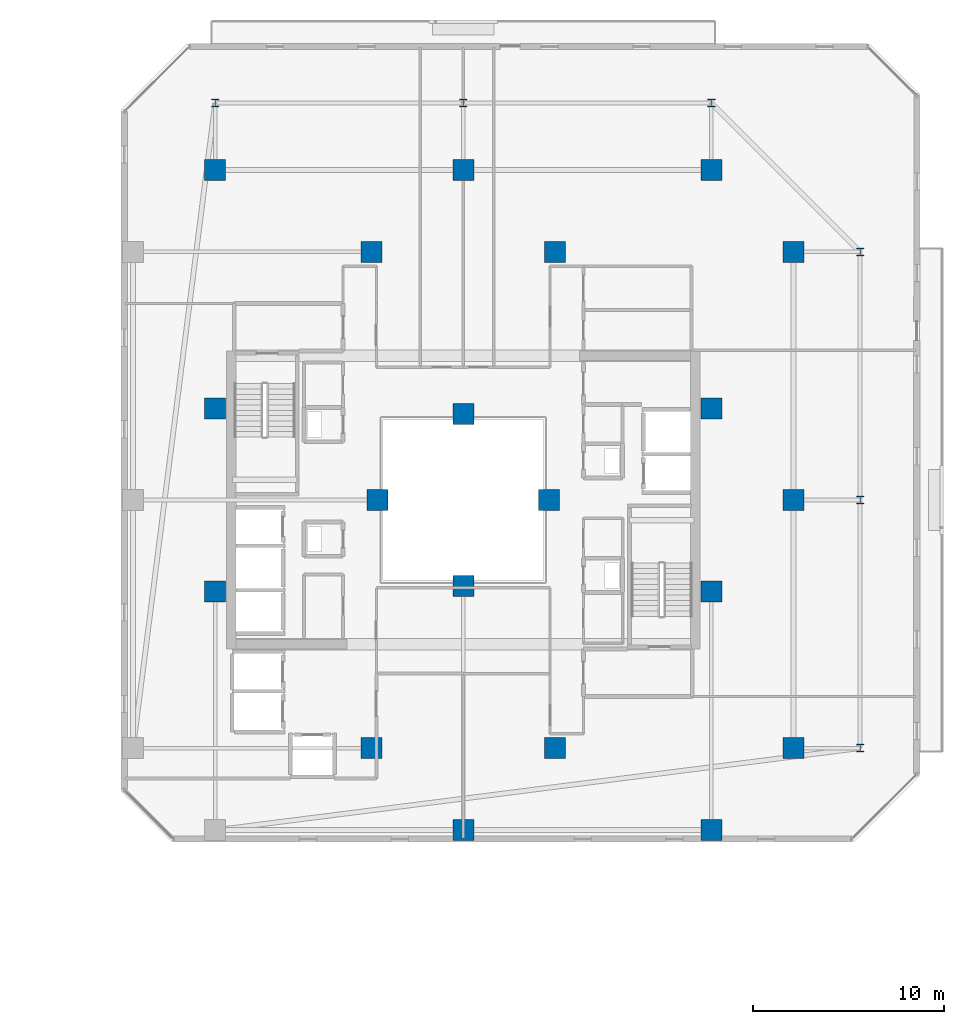
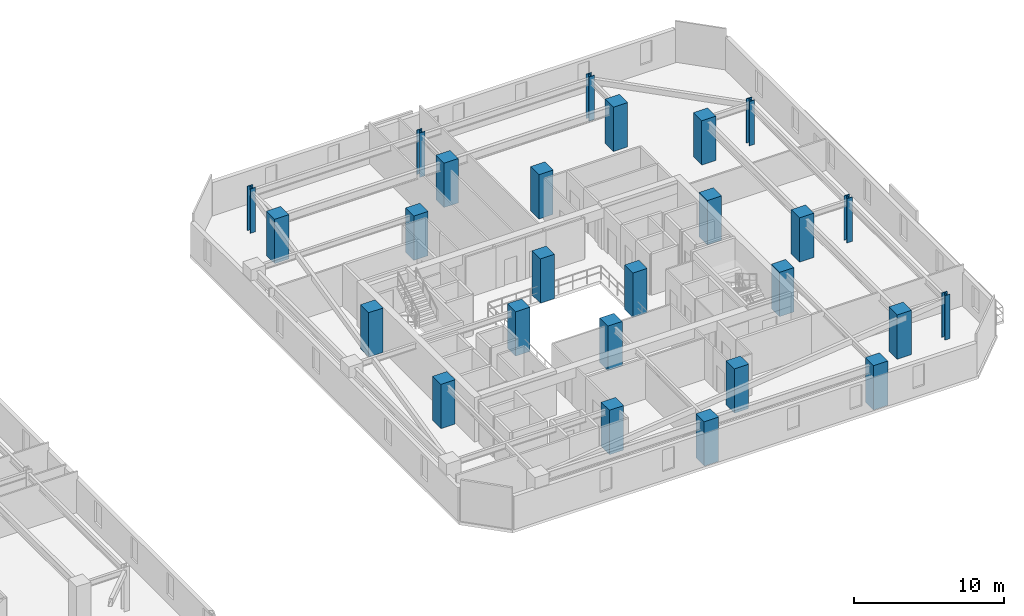
# One storey, part 2 of 33: 26 columns.
"""IFC4 building model written with IfcOpenShell, lengths in metres."""

from ifc_helpers import new_model, si_unit, direction, frame, origin, origin_2d, place, context, subcontext, project, spatial, rectangle, i_section, extrude, material, material_profile, profile_set, type_object, element, save


model = new_model("IFC4")

# Units and contexts
model_context = context("Model", 3, precision=1e-05, world=origin(), true_north=direction((0.0, 1.0)))
body_context = subcontext(model_context, "Body", "Model", "MODEL_VIEW")
ifc_project = project(units=[si_unit("LENGTHUNIT", "METRE"), si_unit("AREAUNIT", "SQUARE_METRE"), si_unit("VOLUMEUNIT", "CUBIC_METRE"), si_unit("PLANEANGLEUNIT", "RADIAN"), si_unit("MASSUNIT", "GRAM", prefix="KILO")], contexts=[model_context])

# Site, building, storey
site_placement = place(None, origin())
site = spatial("IfcSite", under=ifc_project, at=site_placement, CompositionType="ELEMENT")
building_placement = place(site_placement, origin())
building = spatial("IfcBuilding", under=site, at=building_placement, Name="Thornwick Lancets Civic Towers", CompositionType="ELEMENT")
storey_placement = place(building_placement, frame((0.0, 0.0, 159.89990234375)))
storey = spatial("IfcBuildingStorey", under=building, at=storey_placement, Name="L42", CompositionType="ELEMENT", Elevation=159.89990234375)

# Columns
ifc_material_1 = material(Name="Concrete C50/60", Category="concrete")
ifc_material_profile_1 = material_profile(ifc_material_1, rectangle(XDim=1.10009765625, YDim=1.10009765625, at=origin_2d()), Name="RC 1100x1100")
ifc_profile_set_1 = profile_set([ifc_material_profile_1], Name="Concrete C50/60")
column_type_1 = type_object("IfcColumnType", Name="COL_RC_1100", PredefinedType="COLUMN", material=ifc_profile_set_1)
for number, where, z_axis, x_axis, name in (
    (1, (105.800048828125, 14.0, 0.0), (0.0, 0.0, 1.0), (1.0, 0.0, 0.0), "L42 Spine Mega-Column B01"),
    (2, (105.800048828125, 27.0, 0.0), (0.0, 0.0, 1.0), (1.0, 0.0, 0.0), "L42 Spine Mega-Column B02"),
    (3, (105.800048828125, 40.0, 0.0), (0.0, 0.0, 1.0), (1.0, 0.0, 0.0), "L42 Spine Mega-Column B03"),
    (4, (101.5, 44.300048828125, 0.0), (0.0, 0.0, 1.0), (1.0, 0.0, 0.0), "L42 Spine Mega-Column B04"),
    (5, (88.5, 44.300048828125, 0.0), (0.0, 0.0, 1.0), (1.0, 0.0, 0.0), "L42 Spine Mega-Column B05"),
    (6, (75.5, 44.300048828125, 0.0), (0.0, 0.0, 1.0), (1.0, 0.0, 0.0), "L42 Spine Mega-Column B06"),
    (7, (101.5, 9.699951171875, 0.0), (0.0, 0.0, 1.0), (1.0, 0.0, 0.0), "L42 Spine Mega-Column B10"),
    (8, (88.5, 9.699951171875, 0.0), (0.0, 0.0, 1.0), (1.0, 0.0, 0.0), "L42 Spine Mega-Column B11"),
    (9, (93.300048828125, 14.0, 0.0), (0.0, 0.0, 1.0), (1.0, 0.0, 0.0), "L42 Spine Mega-Column B13"),
    (10, (93.300048828125, 40.0, 0.0), (0.0, 0.0, 1.0), (1.0, 0.0, 0.0), "L42 Spine Mega-Column B14"),
    (11, (83.699951171875, 14.0, 0.0), (0.0, 0.0, 1.0), (1.0, 0.0, 0.0), "L42 Spine Mega-Column B15"),
    (12, (83.699951171875, 40.0, 0.0), (0.0, 0.0, 1.0), (1.0, 0.0, 0.0), "L42 Spine Mega-Column B16"),
    (13, (101.5, 22.199951171875, 0.0), (0.0, 0.0, 1.0), (1.0, 0.0, 0.0), "L42 Spine Mega-Column B17"),
    (14, (101.5, 31.800048828125, 0.0), (0.0, 0.0, 1.0), (1.0, 0.0, 0.0), "L42 Spine Mega-Column B18"),
    (15, (75.5, 22.199951171875, 0.0), (0.0, 0.0, 1.0), (1.0, 0.0, 0.0), "L42 Spine Mega-Column B19"),
    (16, (75.5, 31.800048828125, 0.0), (0.0, 0.0, 1.0), (1.0, 0.0, 0.0), "L42 Spine Mega-Column B20"),
    (17, (93.0, 27.0, 0.0), (0.0, 0.0, 1.0), (1.0, 0.0, 0.0), "L42 Spine Mega-Column B21"),
    (18, (84.0, 27.0, 0.0), (0.0, 0.0, 1.0), (1.0, 0.0, 0.0), "L42 Spine Mega-Column B22"),
    (19, (88.5, 22.5, 0.0), (0.0, 0.0, 1.0), (1.0, 0.0, 0.0), "L42 Spine Mega-Column B23"),
    (20, (88.5, 31.5, 0.0), (0.0, 0.0, 1.0), (1.0, 0.0, 0.0), "L42 Spine Mega-Column B24"),
):
    element("IfcColumn", number, at=place(storey_placement, frame(where, z_axis=z_axis, x_axis=x_axis)), inside=storey, type_object=column_type_1, Name=name, PredefinedType="COLUMN", context=body_context, shape_type="SweptSolid", body=[
        extrude(rectangle(XDim=1.10009765625, YDim=1.10009765625, at=origin_2d()), origin(), (0.0, 0.0, 1.0), 3.60009765625),
    ])
ifc_material_2 = material(Name="Steel S460M", Category="steel")
ifc_material_profile_2 = material_profile(ifc_material_2, i_section(OverallWidth=0.406982421875, OverallDepth=0.4189453125, WebThickness=0.030517578125, FlangeThickness=0.04931640625, FilletRadius=0.01513671875, at=origin_2d()), Name="UKC 356x406x393")
ifc_profile_set_2 = profile_set([ifc_material_profile_2], Name="Steel S460M")
column_type_2 = type_object("IfcColumnType", Name="COL_UKC_393", PredefinedType="COLUMN", material=ifc_profile_set_2)
for number, where, z_axis, x_axis, name in (
    (21, (109.300048828125, 14.0, 0.0), (0.0, 0.0, 1.0), (1.0, 0.0, 0.0), "L42 Block Perimeter Column B01"),
    (22, (109.300048828125, 27.0, 0.0), (0.0, 0.0, 1.0), (1.0, 0.0, 0.0), "L42 Block Perimeter Column B02"),
    (23, (109.300048828125, 40.0, 0.0), (0.0, 0.0, 1.0), (1.0, 0.0, 0.0), "L42 Block Perimeter Column B03"),
    (24, (101.5, 47.800048828125, 0.0), (0.0, 0.0, 1.0), (1.0, 0.0, 0.0), "L42 Block Perimeter Column B04"),
    (25, (88.5, 47.800048828125, 0.0), (0.0, 0.0, 1.0), (1.0, 0.0, 0.0), "L42 Block Perimeter Column B05"),
    (26, (75.5, 47.800048828125, 0.0), (0.0, 0.0, 1.0), (1.0, 0.0, 0.0), "L42 Block Perimeter Column B06"),
):
    element("IfcColumn", number, at=place(storey_placement, frame(where, z_axis=z_axis, x_axis=x_axis)), inside=storey, type_object=column_type_2, Name=name, PredefinedType="COLUMN", context=body_context, shape_type="SweptSolid", body=[
        extrude(i_section(OverallWidth=0.406982421875, OverallDepth=0.4189453125, WebThickness=0.030517578125, FlangeThickness=0.04931640625, FilletRadius=0.01513671875, at=origin_2d()), origin(), (0.0, 0.0, 1.0), 3.60009765625),
    ])

save(model, "model.ifc")
